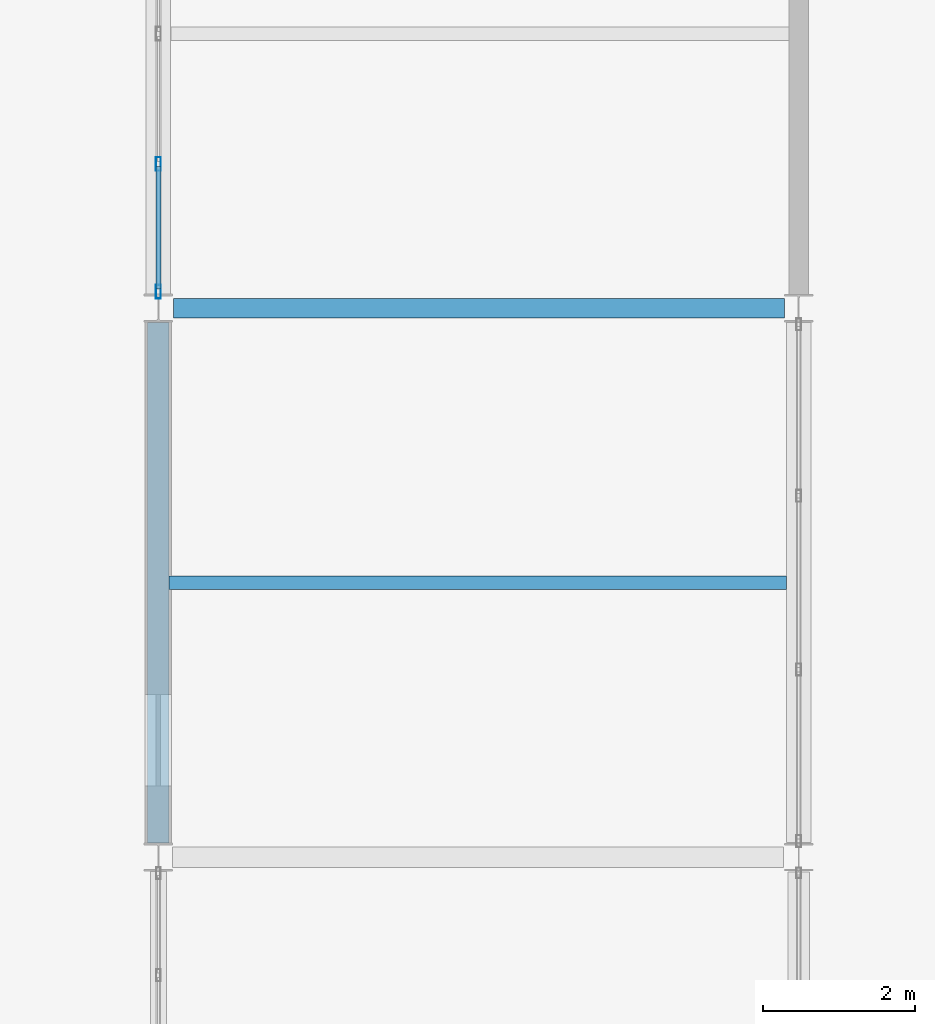
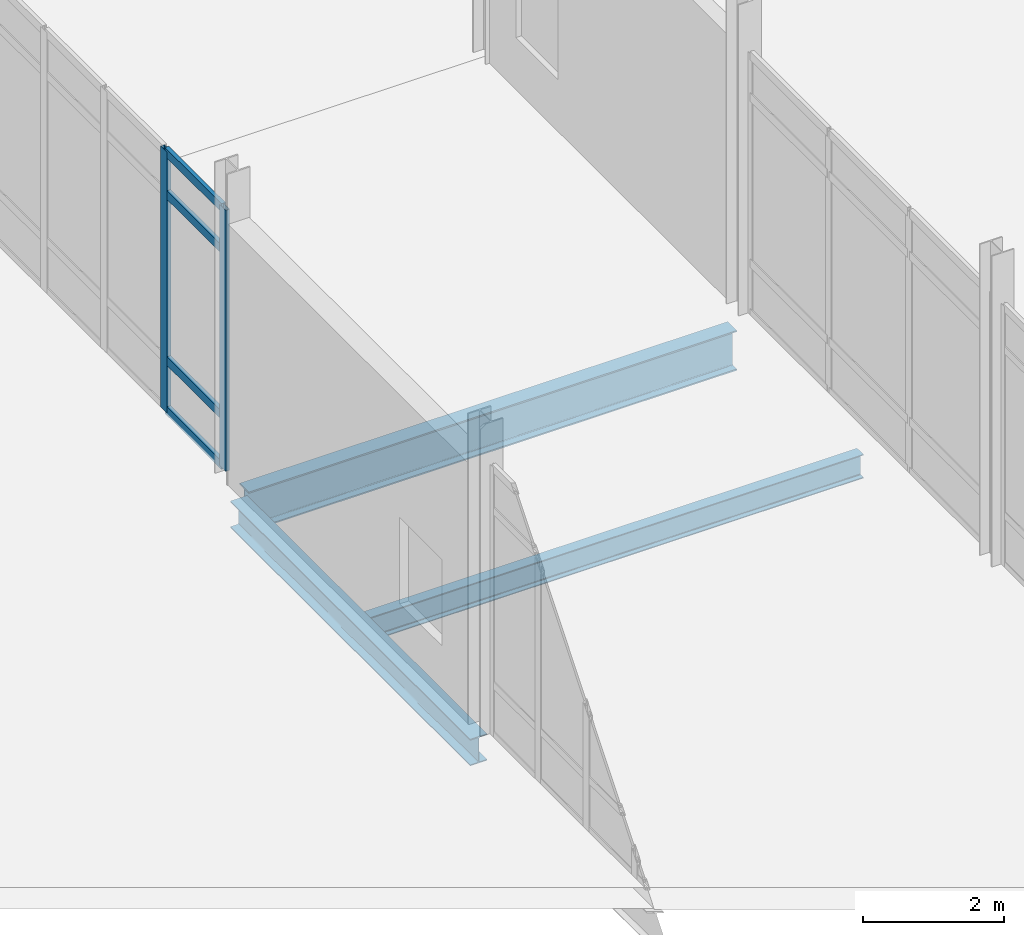
# One storey, part 81 of 229: 6 members, 3 beams, 1 element without a shape of its own.
"""IFC4 building model written with IfcOpenShell, lengths in metres."""

from ifc_helpers import new_model, si_unit, direction, frame, origin, origin_2d, place, context, subcontext, project, spatial, hollow_rectangle, i_section, extrude, material, layer, layer_set, material_profile, profile_set, type_object, element, aggregate, save


model = new_model("IFC4")

# Units and contexts
model_context = context("Model", 3, precision=1e-05, world=origin(), true_north=direction((0.0, 1.0)))
body_context = subcontext(model_context, "Body", "Model", "MODEL_VIEW")
ifc_project = project(units=[si_unit("LENGTHUNIT", "METRE"), si_unit("AREAUNIT", "SQUARE_METRE"), si_unit("VOLUMEUNIT", "CUBIC_METRE"), si_unit("PLANEANGLEUNIT", "RADIAN"), si_unit("MASSUNIT", "GRAM", prefix="KILO")], contexts=[model_context])

# Site, building, storey
site_placement = place(None, origin())
site = spatial("IfcSite", under=ifc_project, at=site_placement, CompositionType="ELEMENT")
building_placement = place(site_placement, origin())
building = spatial("IfcBuilding", under=site, at=building_placement, Name="Calvrana Isthmian Art Gallery", CompositionType="ELEMENT")
storey_placement = place(building_placement, origin())
storey = spatial("IfcBuildingStorey", under=building, at=storey_placement, Name="L00", CompositionType="ELEMENT", Elevation=0.0)

# Beams
ifc_material_1 = material(Name="Steel ASTM A992 Gr 50", Category="steel")
ifc_material_profile_1 = material_profile(ifc_material_1, i_section(OverallWidth=0.279052734375, OverallDepth=0.4619140625, WebThickness=0.0107421875, FlangeThickness=0.017333984375, FilletRadius=0.02001953125, at=origin_2d()), Name="W18X76")
ifc_profile_set_1 = profile_set([ifc_material_profile_1], Name="Steel ASTM A992 Gr 50")
beam_type_1 = type_object("IfcBeamType", Name="BM-G-W18X76", PredefinedType="BEAM", material=ifc_profile_set_1)
beam_1_placement = place(storey_placement, frame((55.199951171875, 84.1865234375, -0.51611328125), z_axis=(0.0, 1.0, 0.0), x_axis=(-1.0, 0.0, 0.0)))
element("IfcBeam", 1, at=beam_1_placement, inside=storey, type_object=beam_type_1, Name="Girder Y L00 08/L-M", PredefinedType="BEAM", context=body_context, shape_type="SweptSolid", body=[
    extrude(i_section(OverallWidth=0.279052734375, OverallDepth=0.4619140625, WebThickness=0.0107421875, FlangeThickness=0.017333984375, FilletRadius=0.02001953125, at=origin_2d()), origin(), (0.0, 0.0, 1.0), 6.825439453125),
])
ifc_material_profile_2 = material_profile(ifc_material_1, i_section(OverallWidth=0.257080078125, OverallDepth=0.693115234375, WebThickness=0.014404296875, FlangeThickness=0.023681640625, FilletRadius=0.02392578125, at=origin_2d()), Name="W27X114")
ifc_profile_set_2 = profile_set([ifc_material_profile_2], Name="Steel ASTM A992 Gr 50")
beam_type_2 = type_object("IfcBeamType", Name="BM-G-W27X114", PredefinedType="BEAM", material=ifc_profile_set_2)
beam_2_placement = place(storey_placement, frame((55.39697265625, 91.199951171875, -0.631591796875), z_axis=(1.0, 0.0, 0.0), x_axis=(0.0, 1.0, 0.0)))
element("IfcBeam", 2, at=beam_2_placement, inside=storey, type_object=beam_type_2, Name="Girder X L00 08-09/M", PredefinedType="BEAM", context=body_context, shape_type="SweptSolid", body=[
    extrude(i_section(OverallWidth=0.257080078125, OverallDepth=0.693115234375, WebThickness=0.014404296875, FlangeThickness=0.023681640625, FilletRadius=0.02392578125, at=origin_2d()), origin(), (0.0, 0.0, 1.0), 8.0166015625),
])
ifc_material_profile_3 = material_profile(ifc_material_1, i_section(OverallWidth=0.179931640625, OverallDepth=0.4140625, WebThickness=0.009765625, FlangeThickness=0.01611328125, FilletRadius=0.01806640625, at=origin_2d()), Name="W16X50")
ifc_profile_set_3 = profile_set([ifc_material_profile_3], Name="Steel ASTM A992 Gr 50")
beam_type_3 = type_object("IfcBeamType", Name="BM-J-W16X50", PredefinedType="JOIST", material=ifc_profile_set_3)
beam_3_placement = place(storey_placement, frame((55.339599609375, 87.60009765625, -0.491943359375), z_axis=(1.0, 0.0, 0.0), x_axis=(0.0, 1.0, 0.0)))
element("IfcBeam", 3, at=beam_3_placement, inside=storey, type_object=beam_type_3, Name="Composite joist L00 bay 07-11", PredefinedType="JOIST", context=body_context, shape_type="SweptSolid", body=[
    extrude(i_section(OverallWidth=0.179931640625, OverallDepth=0.4140625, WebThickness=0.009765625, FlangeThickness=0.01611328125, FilletRadius=0.01806640625, at=origin_2d()), origin(), (0.0, 0.0, 1.0), 8.097900390625),
])

# Curtain wall, members
ifc_material_2 = material(Name="Anodized bronze aluminium 6063-T6", Category="aluminium")
ifc_layer = layer(ifc_material_2, 0.179931640625, Name="Anodized bronze aluminium 6063-T6")
ifc_layer_set = layer_set([ifc_layer], Name="Anodized bronze aluminium 6063-T6")
curtain_wall_type = type_object("IfcCurtainWallType", Name="CW-STICK-068X45", PredefinedType="NOTDEFINED", material=ifc_layer_set)
curtain_wall_placement = place(storey_placement, origin())
curtain_wall = element("IfcCurtainWall", 4, at=curtain_wall_placement, inside=storey, type_object=curtain_wall_type, Name="Curtain wall CW-062", PredefinedType="NOTDEFINED")
ifc_material_profile_4 = material_profile(ifc_material_2, hollow_rectangle(XDim=0.06494140625, YDim=0.179931640625, WallThickness=0.00439453125, at=origin_2d()), Name="CWM65X180")
ifc_profile_set_4 = profile_set([ifc_material_profile_4], Name="Anodized bronze aluminium 6063-T6")
member_type_1 = type_object("IfcMemberType", Name="CWM-CWM65X180", PredefinedType="MULLION", material=ifc_profile_set_4)
member_1_placement = place(storey_placement, frame((55.199951171875, 91.41650390625, 0.0), z_axis=(0.0, 0.0, 1.0), x_axis=(-1.0, 0.0, 0.0)))
member_1 = element("IfcMember", 5, at=member_1_placement, type_object=member_type_1, Name="CW-062 mullion 1", PredefinedType="MULLION", context=body_context, shape_type="SweptSolid", body=[
    extrude(hollow_rectangle(XDim=0.06494140625, YDim=0.179931640625, WallThickness=0.00439453125, at=origin_2d()), origin(), (0.0, 0.0, 1.0), 4.532958984375),
])
member_2_placement = place(storey_placement, frame((55.199951171875, 93.09130859375, 0.0), z_axis=(0.0, 0.0, 1.0), x_axis=(-1.0, 0.0, 0.0)))
member_2 = element("IfcMember", 6, at=member_2_placement, type_object=member_type_1, Name="CW-062 mullion 2", PredefinedType="MULLION", context=body_context, shape_type="SweptSolid", body=[
    extrude(hollow_rectangle(XDim=0.06494140625, YDim=0.179931640625, WallThickness=0.00439453125, at=origin_2d()), origin(), (0.0, 0.0, 1.0), 4.532958984375),
])
ifc_material_profile_5 = material_profile(ifc_material_2, hollow_rectangle(XDim=0.06494140625, YDim=0.14990234375, WallThickness=0.00390625, at=origin_2d()), Name="CWT65X150")
ifc_profile_set_5 = profile_set([ifc_material_profile_5], Name="Anodized bronze aluminium 6063-T6")
member_type_2 = type_object("IfcMemberType", Name="CWT-CWT65X150", PredefinedType="USERDEFINED", material=ifc_profile_set_5)
member_3_placement = place(storey_placement, frame((55.199951171875, 91.448974609375, 0.032470703125), z_axis=(0.0, 1.0, 0.0), x_axis=(-1.0, 0.0, 0.0)))
member_3 = element("IfcMember", 7, at=member_3_placement, type_object=member_type_2, Name="CW-062 transom 1.1", ObjectType="TRANSOM", PredefinedType="USERDEFINED", context=body_context, shape_type="SweptSolid", body=[
    extrude(hollow_rectangle(XDim=0.06494140625, YDim=0.14990234375, WallThickness=0.00390625, at=origin_2d()), origin(), (0.0, 0.0, 1.0), 1.60986328125),
])
member_4_placement = place(storey_placement, frame((55.199951171875, 91.448974609375, 0.89990234375), z_axis=(0.0, 1.0, 0.0), x_axis=(-1.0, 0.0, 0.0)))
member_4 = element("IfcMember", 8, at=member_4_placement, type_object=member_type_2, Name="CW-062 transom 1.2", ObjectType="TRANSOM", PredefinedType="USERDEFINED", context=body_context, shape_type="SweptSolid", body=[
    extrude(hollow_rectangle(XDim=0.06494140625, YDim=0.14990234375, WallThickness=0.00390625, at=origin_2d()), origin(), (0.0, 0.0, 1.0), 1.60986328125),
])
member_5_placement = place(storey_placement, frame((55.199951171875, 91.448974609375, 3.782958984375), z_axis=(0.0, 1.0, 0.0), x_axis=(-1.0, 0.0, 0.0)))
member_5 = element("IfcMember", 9, at=member_5_placement, type_object=member_type_2, Name="CW-062 transom 1.3", ObjectType="TRANSOM", PredefinedType="USERDEFINED", context=body_context, shape_type="SweptSolid", body=[
    extrude(hollow_rectangle(XDim=0.06494140625, YDim=0.14990234375, WallThickness=0.00390625, at=origin_2d()), origin(), (0.0, 0.0, 1.0), 1.60986328125),
])
member_6_placement = place(storey_placement, frame((55.199951171875, 91.448974609375, 4.50048828125), z_axis=(0.0, 1.0, 0.0), x_axis=(-1.0, 0.0, 0.0)))
member_6 = element("IfcMember", 10, at=member_6_placement, type_object=member_type_2, Name="CW-062 transom 1.4", ObjectType="TRANSOM", PredefinedType="USERDEFINED", context=body_context, shape_type="SweptSolid", body=[
    extrude(hollow_rectangle(XDim=0.06494140625, YDim=0.14990234375, WallThickness=0.00390625, at=origin_2d()), origin(), (0.0, 0.0, 1.0), 1.60986328125),
])
aggregate(curtain_wall, [member_1, member_2, member_3, member_4, member_5, member_6])

save(model, "model.ifc")
